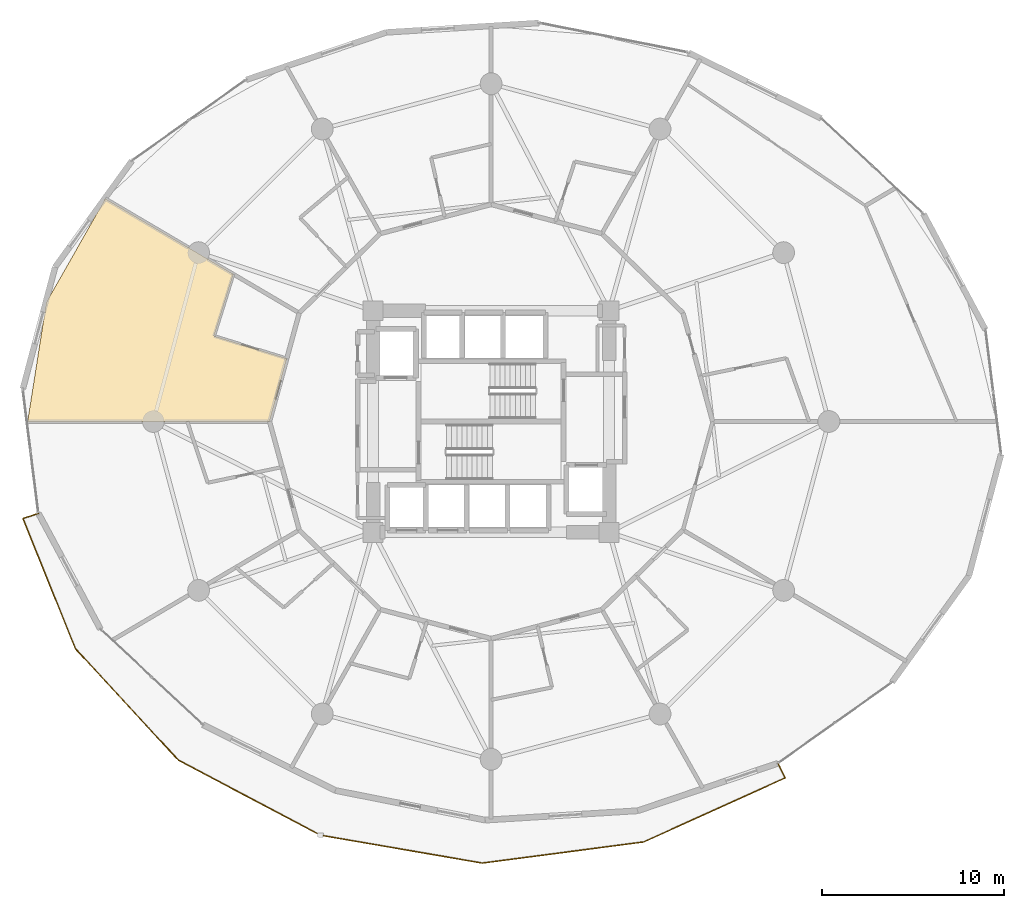
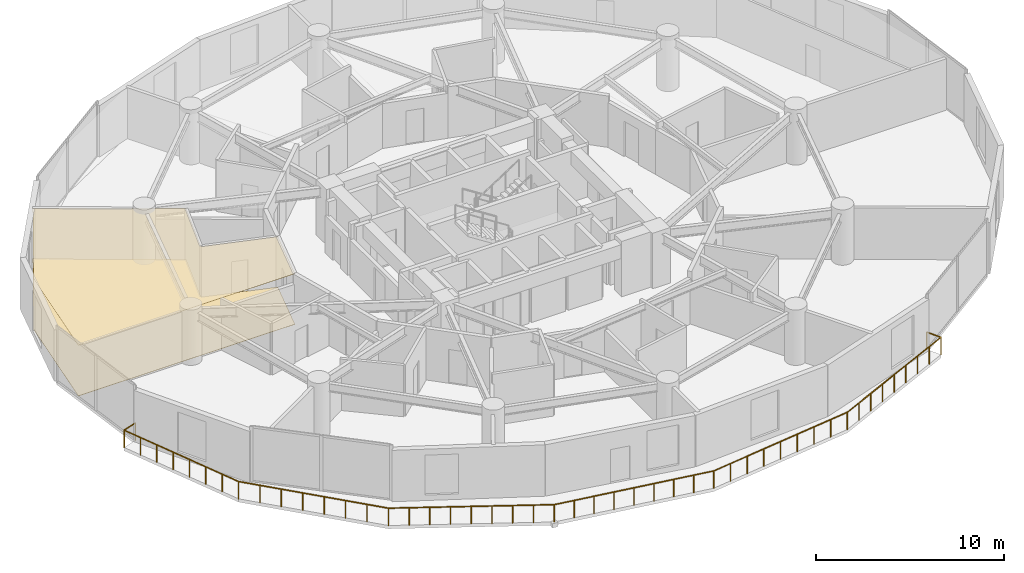
# One storey, part 24 of 26: 2 coverings, 1 railing.
"""IFC4 building model written with IfcOpenShell, lengths in metres."""

from ifc_helpers import new_model, si_unit, direction, frame, origin, origin_2d, place, context, subcontext, project, spatial, polyline, circle, outline, extrude, material, layer, layer_set, type_object, element, save


model = new_model("IFC4")

# Units and contexts
model_context = context("Model", 3, precision=1e-05, world=origin(), true_north=direction((0.0, 1.0)))
body_context = subcontext(model_context, "Body", "Model", "MODEL_VIEW")
ifc_project = project(units=[si_unit("LENGTHUNIT", "METRE"), si_unit("AREAUNIT", "SQUARE_METRE"), si_unit("VOLUMEUNIT", "CUBIC_METRE"), si_unit("PLANEANGLEUNIT", "RADIAN"), si_unit("MASSUNIT", "GRAM", prefix="KILO")], contexts=[model_context])

# Site, building, storey
site_placement = place(None, origin())
site = spatial("IfcSite", under=ifc_project, at=site_placement, CompositionType="ELEMENT")
building_placement = place(site_placement, origin())
building = spatial("IfcBuilding", under=site, at=building_placement, Name="Solvirekh Grand Hotel", CompositionType="ELEMENT")
storey_placement = place(building_placement, frame((0.0, 0.0, 35.60009765625)))
storey = spatial("IfcBuildingStorey", under=building, at=storey_placement, Name="L07", CompositionType="ELEMENT", Elevation=35.60009765625)

# Coverings
ifc_material_1 = material(Name="Acoustic Mineral Ceiling Tile")
ifc_layer_1 = layer(ifc_material_1, 0.02490234375)
ifc_layer_set_1 = layer_set([ifc_layer_1], Name="Acoustic Mineral Ceiling Tile")
covering_type_1 = type_object("IfcCoveringType", Name="Cov_Ceiling_Acoustic", PredefinedType="CEILING", material=ifc_layer_set_1)
covering_1_placement = place(storey_placement, frame((0.0, 0.0, 3.289794921875)))
element("IfcCovering", 1, at=covering_1_placement, inside=storey, type_object=covering_type_1, Name="L07 Deluxe Guestroom 0905 acoustic ceiling", PredefinedType="CEILING", context=body_context, shape_type="SweptSolid", body=[
    extrude(outline(polyline([(-15.260986328125, 4.7060546875), (-14.197021484375, 8.114013671875), (-21.24609375, 12.26611328125), (-24.489013671875, 6.56201171875), (-25.52197265625, 0.0), (-12.199951171875, 0.0), (-11.251953125, 3.466064453125), (-15.260986328125, 4.7060546875)])), origin(), (0.0, 0.0, 1.0), 0.01806640625),
])
ifc_material_2 = material(Name="Porcelain Stoneware Flooring", Category="masonry")
ifc_layer_2 = layer(ifc_material_2, 0.030029296875)
ifc_layer_set_2 = layer_set([ifc_layer_2], Name="Porcelain Stoneware Flooring")
covering_type_2 = type_object("IfcCoveringType", Name="Cov_Floor_Stone", PredefinedType="FLOORING", material=ifc_layer_set_2)
covering_2_placement = place(storey_placement, origin())
element("IfcCovering", 2, at=covering_2_placement, inside=storey, type_object=covering_type_2, Name="L07 Deluxe Guestroom 0905 polished granite flooring", PredefinedType="FLOORING", context=body_context, shape_type="SweptSolid", body=[
    extrude(outline(polyline([(-15.260986328125, 4.7060546875), (-14.197021484375, 8.114013671875), (-21.24609375, 12.26611328125), (-24.489013671875, 6.56201171875), (-25.52197265625, 0.0), (-12.199951171875, 0.0), (-11.251953125, 3.466064453125), (-15.260986328125, 4.7060546875)])), origin(), (0.0, 0.0, 1.0), 0.02001953125),
])

# Railing
ifc_material_3 = material(Name="Anodized Bronze Aluminium 6063-T6", Category="aluminium")
railing_type = type_object("IfcRailingType", Name="Guard_ExtGlass_1150", PredefinedType="BALUSTRADE", material=ifc_material_3)
railing_placement = place(storey_placement, frame((-24.926025390625, -5.06298828125, 0.0)))
element("IfcRailing", 3, at=railing_placement, inside=storey, type_object=railing_type, Name="L07 balc perimeter glass balustrade", PredefinedType="BALUSTRADE", context=body_context, shape_type="SweptSolid", body=[
    extrude(circle(Radius=0.02392578125, at=origin_2d()), frame((0.0, 0.0, 1.1259765625), z_axis=(-0.951491208956, -0.307675932241, 0.0), x_axis=(0.307675932241, -0.951491208956, 0.0)), (0.0, 0.0, 1.0), 0.900634765625),
    extrude(circle(Radius=0.02392578125, at=origin_2d()), frame((-0.85693359375, -0.277099609375, 1.1259765625), z_axis=(0.373767759387, -0.927522324283, 0.0), x_axis=(0.927522324283, 0.373767759387, 0.0)), (0.0, 0.0, 1.0), 7.734375),
    extrude(circle(Radius=0.02392578125, at=origin_2d()), frame((2.033935546875, -7.450927734375, 1.1259765625), z_axis=(0.678810137131, -0.73431382782, 0.0), x_axis=(0.73431382782, 0.678810137131, 0.0)), (0.0, 0.0, 1.0), 8.357421875),
    extrude(circle(Radius=0.02392578125, at=origin_2d()), frame((7.70703125, -13.587890625, 1.1259765625), z_axis=(0.88402774218, -0.467434435034, 0.0), x_axis=(0.467434435034, 0.88402774218, 0.0)), (0.0, 0.0, 1.0), 8.835693359375),
    extrude(circle(Radius=0.02392578125, at=origin_2d()), frame((15.51806640625, -17.718017578125, 1.1259765625), z_axis=(0.985494489382, -0.169707428822, 0.0), x_axis=(0.169707428822, 0.985494489382, 0.0)), (0.0, 0.0, 1.0), 9.057373046875),
    extrude(circle(Radius=0.02392578125, at=origin_2d()), frame((24.444091796875, -19.255126953125, 1.1259765625), z_axis=(0.991519888159, 0.129955036016, 0.0), x_axis=(-0.129955036016, 0.991519888159, 0.0)), (0.0, 0.0, 1.0), 8.96484375),
    extrude(circle(Radius=0.02392578125, at=origin_2d()), frame((33.3330078125, -18.090087890625, 1.1259765625), z_axis=(0.910951144315, 0.412514257536, 0.0), x_axis=(-0.412514257536, 0.910951144315, 0.0)), (0.0, 0.0, 1.0), 8.552734375),
    extrude(circle(Radius=0.02392578125, at=origin_2d()), frame((41.1240234375, -14.56201171875, 1.1259765625), z_axis=(-0.449923556315, 0.893067071094, 0.0), x_axis=(-0.893067071094, -0.449923556315, 0.0)), (0.0, 0.0, 1.0), 0.900146484375),
    extrude(circle(Radius=0.02099609375, at=origin_2d()), origin(), (0.0, 0.0, 1.0), 1.101806640625),
    extrude(circle(Radius=0.02099609375, at=origin_2d()), frame((-0.85693359375, -0.277099609375, 0.0)), (0.0, 0.0, 1.0), 1.101806640625),
    extrude(circle(Radius=0.02099609375, at=origin_2d()), frame((-0.44384765625, -1.302001953125, 0.0)), (0.0, 0.0, 1.0), 1.101806640625),
    extrude(circle(Radius=0.02099609375, at=origin_2d()), frame((-0.031005859375, -2.32666015625, 0.0)), (0.0, 0.0, 1.0), 1.101806640625),
    extrude(circle(Radius=0.02099609375, at=origin_2d()), frame((0.382080078125, -3.3515625, 0.0)), (0.0, 0.0, 1.0), 1.101806640625),
    extrude(circle(Radius=0.02099609375, at=origin_2d()), frame((0.794921875, -4.37646484375, 0.0)), (0.0, 0.0, 1.0), 1.101806640625),
    extrude(circle(Radius=0.02099609375, at=origin_2d()), frame((1.2080078125, -5.4013671875, 0.0)), (0.0, 0.0, 1.0), 1.101806640625),
    extrude(circle(Radius=0.02099609375, at=origin_2d()), frame((1.620849609375, -6.426025390625, 0.0)), (0.0, 0.0, 1.0), 1.101806640625),
    extrude(circle(Radius=0.02099609375, at=origin_2d()), frame((2.033935546875, -7.450927734375, 0.0)), (0.0, 0.0, 1.0), 1.101806640625),
    extrude(circle(Radius=0.02099609375, at=origin_2d()), frame((2.844482421875, -8.32763671875, 0.0)), (0.0, 0.0, 1.0), 1.101806640625),
    extrude(circle(Radius=0.02099609375, at=origin_2d()), frame((3.65478515625, -9.204345703125, 0.0)), (0.0, 0.0, 1.0), 1.101806640625),
    extrude(circle(Radius=0.02099609375, at=origin_2d()), frame((4.46533203125, -10.0810546875, 0.0)), (0.0, 0.0, 1.0), 1.101806640625),
    extrude(circle(Radius=0.02099609375, at=origin_2d()), frame((5.275634765625, -10.957763671875, 0.0)), (0.0, 0.0, 1.0), 1.101806640625),
    extrude(circle(Radius=0.02099609375, at=origin_2d()), frame((6.086181640625, -11.83447265625, 0.0)), (0.0, 0.0, 1.0), 1.101806640625),
    extrude(circle(Radius=0.02099609375, at=origin_2d()), frame((6.896484375, -12.711181640625, 0.0)), (0.0, 0.0, 1.0), 1.101806640625),
    extrude(circle(Radius=0.02099609375, at=origin_2d()), frame((7.70703125, -13.587890625, 0.0)), (0.0, 0.0, 1.0), 1.101806640625),
    extrude(circle(Radius=0.02099609375, at=origin_2d()), frame((8.683349609375, -14.104248046875, 0.0)), (0.0, 0.0, 1.0), 1.101806640625),
    extrude(circle(Radius=0.02099609375, at=origin_2d()), frame((9.65966796875, -14.620361328125, 0.0)), (0.0, 0.0, 1.0), 1.101806640625),
    extrude(circle(Radius=0.02099609375, at=origin_2d()), frame((10.63623046875, -15.13671875, 0.0)), (0.0, 0.0, 1.0), 1.101806640625),
    extrude(circle(Radius=0.02099609375, at=origin_2d()), frame((11.612548828125, -15.65283203125, 0.0)), (0.0, 0.0, 1.0), 1.101806640625),
    extrude(circle(Radius=0.02099609375, at=origin_2d()), frame((12.5888671875, -16.169189453125, 0.0)), (0.0, 0.0, 1.0), 1.101806640625),
    extrude(circle(Radius=0.02099609375, at=origin_2d()), frame((13.5654296875, -16.685546875, 0.0)), (0.0, 0.0, 1.0), 1.101806640625),
    extrude(circle(Radius=0.02099609375, at=origin_2d()), frame((14.541748046875, -17.20166015625, 0.0)), (0.0, 0.0, 1.0), 1.101806640625),
    extrude(circle(Radius=0.02099609375, at=origin_2d()), frame((15.51806640625, -17.718017578125, 0.0)), (0.0, 0.0, 1.0), 1.101806640625),
    extrude(circle(Radius=0.02099609375, at=origin_2d()), frame((16.6337890625, -17.91015625, 0.0)), (0.0, 0.0, 1.0), 1.101806640625),
    extrude(circle(Radius=0.02099609375, at=origin_2d()), frame((17.74951171875, -18.102294921875, 0.0)), (0.0, 0.0, 1.0), 1.101806640625),
    extrude(circle(Radius=0.02099609375, at=origin_2d()), frame((18.865234375, -18.29443359375, 0.0)), (0.0, 0.0, 1.0), 1.101806640625),
    extrude(circle(Radius=0.02099609375, at=origin_2d()), frame((19.98095703125, -18.486572265625, 0.0)), (0.0, 0.0, 1.0), 1.101806640625),
    extrude(circle(Radius=0.02099609375, at=origin_2d()), frame((21.096923828125, -18.6787109375, 0.0)), (0.0, 0.0, 1.0), 1.101806640625),
    extrude(circle(Radius=0.02099609375, at=origin_2d()), frame((22.212646484375, -18.870849609375, 0.0)), (0.0, 0.0, 1.0), 1.101806640625),
    extrude(circle(Radius=0.02099609375, at=origin_2d()), frame((23.328369140625, -19.06298828125, 0.0)), (0.0, 0.0, 1.0), 1.101806640625),
    extrude(circle(Radius=0.02099609375, at=origin_2d()), frame((24.444091796875, -19.255126953125, 0.0)), (0.0, 0.0, 1.0), 1.101806640625),
    extrude(circle(Radius=0.02099609375, at=origin_2d()), frame((25.55517578125, -19.109375, 0.0)), (0.0, 0.0, 1.0), 1.101806640625),
    extrude(circle(Radius=0.02099609375, at=origin_2d()), frame((26.666259765625, -18.9638671875, 0.0)), (0.0, 0.0, 1.0), 1.101806640625),
    extrude(circle(Radius=0.02099609375, at=origin_2d()), frame((27.77734375, -18.818359375, 0.0)), (0.0, 0.0, 1.0), 1.101806640625),
    extrude(circle(Radius=0.02099609375, at=origin_2d()), frame((28.888671875, -18.672607421875, 0.0)), (0.0, 0.0, 1.0), 1.101806640625),
    extrude(circle(Radius=0.02099609375, at=origin_2d()), frame((29.999755859375, -18.52685546875, 0.0)), (0.0, 0.0, 1.0), 1.101806640625),
    extrude(circle(Radius=0.02099609375, at=origin_2d()), frame((31.11083984375, -18.38134765625, 0.0)), (0.0, 0.0, 1.0), 1.101806640625),
    extrude(circle(Radius=0.02099609375, at=origin_2d()), frame((32.221923828125, -18.23583984375, 0.0)), (0.0, 0.0, 1.0), 1.101806640625),
    extrude(circle(Radius=0.02099609375, at=origin_2d()), frame((33.3330078125, -18.090087890625, 0.0)), (0.0, 0.0, 1.0), 1.101806640625),
    extrude(circle(Radius=0.02099609375, at=origin_2d()), frame((34.306884765625, -17.649169921875, 0.0)), (0.0, 0.0, 1.0), 1.101806640625),
    extrude(circle(Radius=0.02099609375, at=origin_2d()), frame((35.28076171875, -17.2080078125, 0.0)), (0.0, 0.0, 1.0), 1.101806640625),
    extrude(circle(Radius=0.02099609375, at=origin_2d()), frame((36.254638671875, -16.76708984375, 0.0)), (0.0, 0.0, 1.0), 1.101806640625),
    extrude(circle(Radius=0.02099609375, at=origin_2d()), frame((37.228515625, -16.326171875, 0.0)), (0.0, 0.0, 1.0), 1.101806640625),
    extrude(circle(Radius=0.02099609375, at=origin_2d()), frame((38.202392578125, -15.885009765625, 0.0)), (0.0, 0.0, 1.0), 1.101806640625),
    extrude(circle(Radius=0.02099609375, at=origin_2d()), frame((39.17626953125, -15.444091796875, 0.0)), (0.0, 0.0, 1.0), 1.101806640625),
    extrude(circle(Radius=0.02099609375, at=origin_2d()), frame((40.150146484375, -15.0029296875, 0.0)), (0.0, 0.0, 1.0), 1.101806640625),
    extrude(circle(Radius=0.02099609375, at=origin_2d()), frame((41.1240234375, -14.56201171875, 0.0)), (0.0, 0.0, 1.0), 1.101806640625),
    extrude(circle(Radius=0.02099609375, at=origin_2d()), frame((40.718994140625, -13.758056640625, 0.0)), (0.0, 0.0, 1.0), 1.101806640625),
])

save(model, "model.ifc")
